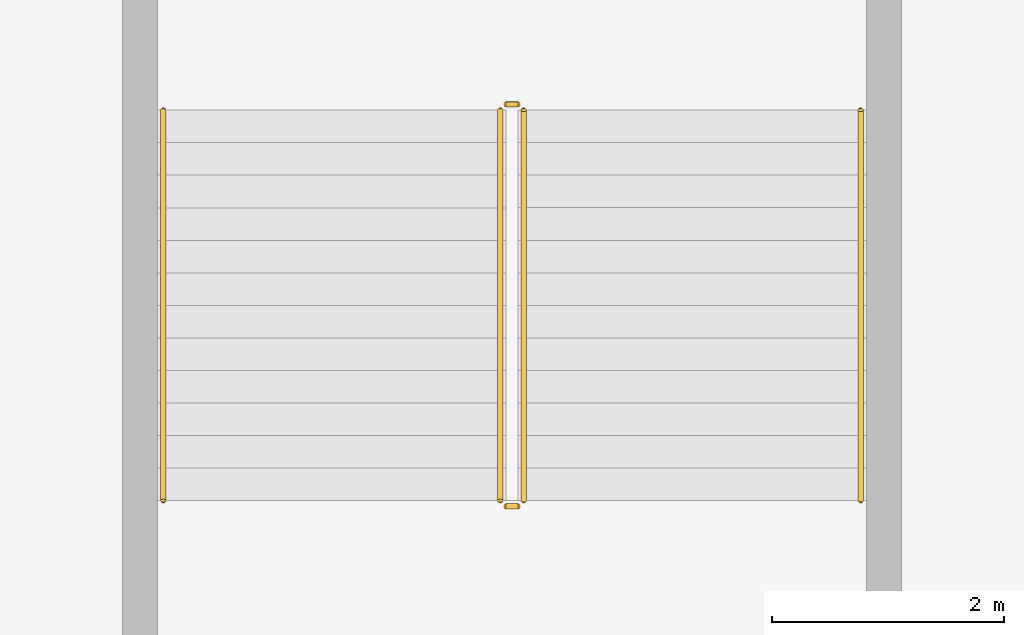
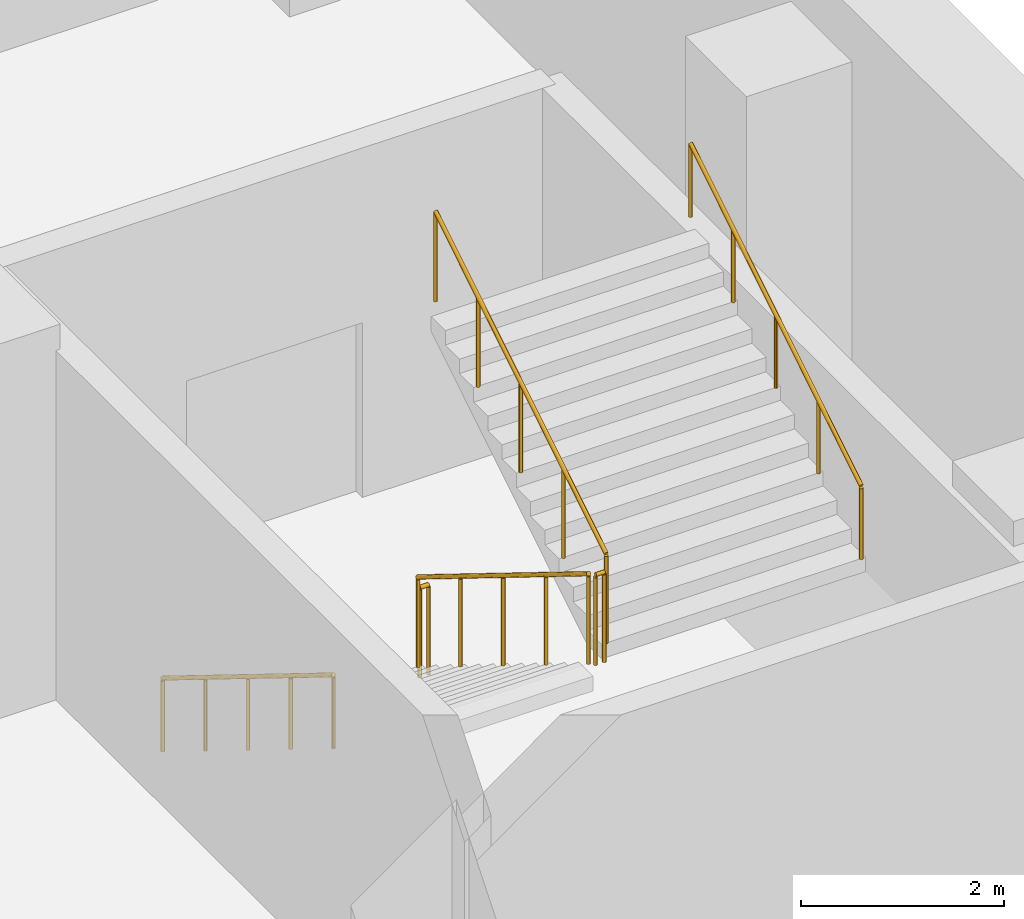
# One storey, part 12 of 13: 6 railings.
"""IFC4 building model written with IfcOpenShell, lengths in metres."""

from ifc_helpers import new_model, si_unit, direction, frame, origin, origin_2d, place, context, subcontext, project, spatial, circle, extrude, material, type_object, element, save


model = new_model("IFC4")

# Units and contexts
model_context = context("Model", 3, precision=1e-05, world=origin(), true_north=direction((0.0, 1.0)))
body_context = subcontext(model_context, "Body", "Model", "MODEL_VIEW")
ifc_project = project(units=[si_unit("LENGTHUNIT", "METRE"), si_unit("AREAUNIT", "SQUARE_METRE"), si_unit("VOLUMEUNIT", "CUBIC_METRE"), si_unit("PLANEANGLEUNIT", "RADIAN"), si_unit("MASSUNIT", "GRAM", prefix="KILO")], contexts=[model_context])

# Site, building, storey
site_placement = place(None, origin())
site = spatial("IfcSite", under=ifc_project, at=site_placement, CompositionType="ELEMENT")
building_placement = place(site_placement, origin())
building = spatial("IfcBuilding", under=site, at=building_placement, Name="Ogive Portal Towers", CompositionType="ELEMENT")
storey_placement = place(building_placement, frame((0.0, 0.0, -9.0)))
storey = spatial("IfcBuildingStorey", under=building, at=storey_placement, Name="B2", CompositionType="ELEMENT", Elevation=-9.0)

# Railings
ifc_material_1 = material(Name="Stainless steel balustrade", Category="steel")
railing_type_1 = type_object("IfcRailingType", Name="INT-GUARD", PredefinedType="GUARDRAIL", material=ifc_material_1)
railing_1_placement = place(storey_placement, frame((98.300048828125, 19.39990234375, 0.173095703125)))
element("IfcRailing", 1, at=railing_1_placement, inside=storey, type_object=railing_type_1, Name="B2 ST-S2 stair guard 1", PredefinedType="GUARDRAIL", context=body_context, shape_type="SweptSolid", body=[
    extrude(circle(Radius=0.02392578125, at=origin_2d()), frame((0.0, 0.0, 1.076171875), z_axis=(0.0, -0.850606129759, 0.525803396734), x_axis=(1.0, 0.0, 0.0)), (0.0, 0.0, 1.0), 3.949951171875),
    extrude(circle(Radius=0.02099609375, at=origin_2d()), origin(), (0.0, 0.0, 1.0), 1.052001953125),
    extrude(circle(Radius=0.02099609375, at=origin_2d()), frame((0.0, -0.83984375, 0.519287109375)), (0.0, 0.0, 1.0), 1.052001953125),
    extrude(circle(Radius=0.02099609375, at=origin_2d()), frame((0.0, -1.679931640625, 1.03857421875)), (0.0, 0.0, 1.0), 1.052001953125),
    extrude(circle(Radius=0.02099609375, at=origin_2d()), frame((0.0, -2.52001953125, 1.5576171875)), (0.0, 0.0, 1.0), 1.052001953125),
    extrude(circle(Radius=0.02099609375, at=origin_2d()), frame((0.0, -3.35986328125, 2.076904296875)), (0.0, 0.0, 1.0), 1.052001953125),
])
railing_2_placement = place(storey_placement, frame((98.35009765625, 15.989990234375, 2.25)))
element("IfcRailing", 2, at=railing_2_placement, inside=storey, type_object=railing_type_1, Name="B2 ST-S2 stair guard 2", PredefinedType="GUARDRAIL", context=body_context, shape_type="SweptSolid", body=[
    extrude(circle(Radius=0.02392578125, at=origin_2d()), frame((0.0, 0.0, 1.076171875), z_axis=(1.0, 0.0, 0.0), x_axis=(0.0, 1.0, 0.0)), (0.0, 0.0, 1.0), 0.099853515625),
    extrude(circle(Radius=0.02099609375, at=origin_2d()), origin(), (0.0, 0.0, 1.0), 1.052001953125),
    extrude(circle(Radius=0.02099609375, at=origin_2d()), frame((0.099853515625, 0.0, 0.0)), (0.0, 0.0, 1.0), 1.052001953125),
])
railing_3_placement = place(storey_placement, frame((98.5, 16.0400390625, 2.423095703125)))
element("IfcRailing", 3, at=railing_3_placement, inside=storey, type_object=railing_type_1, Name="B2 ST-S2 stair guard 3", PredefinedType="GUARDRAIL", context=body_context, shape_type="SweptSolid", body=[
    extrude(circle(Radius=0.02392578125, at=origin_2d()), frame((0.0, 0.0, 1.076171875), z_axis=(0.0, 0.850606129759, 0.525803396734), x_axis=(-1.0, 0.0, 0.0)), (0.0, 0.0, 1.0), 3.949951171875),
    extrude(circle(Radius=0.02099609375, at=origin_2d()), origin(), (0.0, 0.0, 1.0), 1.052001953125),
    extrude(circle(Radius=0.02099609375, at=origin_2d()), frame((0.0, 0.83984375, 0.519287109375)), (0.0, 0.0, 1.0), 1.052001953125),
    extrude(circle(Radius=0.02099609375, at=origin_2d()), frame((0.0, 1.679931640625, 1.03857421875)), (0.0, 0.0, 1.0), 1.052001953125),
    extrude(circle(Radius=0.02099609375, at=origin_2d()), frame((0.0, 2.52001953125, 1.5576171875)), (0.0, 0.0, 1.0), 1.052001953125),
    extrude(circle(Radius=0.02099609375, at=origin_2d()), frame((0.0, 3.35986328125, 2.076904296875)), (0.0, 0.0, 1.0), 1.052001953125),
])
railing_4_placement = place(storey_placement, frame((98.35009765625, 19.449951171875, 0.0)))
element("IfcRailing", 4, at=railing_4_placement, inside=storey, type_object=railing_type_1, Name="B2 ST-S2 stair guard 4", PredefinedType="GUARDRAIL", context=body_context, shape_type="SweptSolid", body=[
    extrude(circle(Radius=0.02392578125, at=origin_2d()), frame((0.0, 0.0, 1.076171875), z_axis=(1.0, 0.0, 0.0), x_axis=(0.0, 1.0, 0.0)), (0.0, 0.0, 1.0), 0.099853515625),
    extrude(circle(Radius=0.02099609375, at=origin_2d()), origin(), (0.0, 0.0, 1.0), 1.052001953125),
    extrude(circle(Radius=0.02099609375, at=origin_2d()), frame((0.099853515625, 0.0, 0.0)), (0.0, 0.0, 1.0), 1.052001953125),
])
ifc_material_2 = material(Name="Stainless steel handrail", Category="steel")
railing_type_2 = type_object("IfcRailingType", Name="INT-HANDRAIL", PredefinedType="HANDRAIL", material=ifc_material_2)
railing_5_placement = place(storey_placement, frame((95.39990234375, 19.39990234375, 0.173095703125)))
element("IfcRailing", 5, at=railing_5_placement, inside=storey, type_object=railing_type_2, Name="B2 ST-S2 stair handrail 1", PredefinedType="HANDRAIL", context=body_context, shape_type="SweptSolid", body=[
    extrude(circle(Radius=0.02392578125, at=origin_2d()), frame((0.0, 0.0, 0.8759765625), z_axis=(0.0, -0.850606129759, 0.525803396734), x_axis=(1.0, 0.0, 0.0)), (0.0, 0.0, 1.0), 3.949951171875),
    extrude(circle(Radius=0.02099609375, at=origin_2d()), origin(), (0.0, 0.0, 1.0), 0.851806640625),
    extrude(circle(Radius=0.02099609375, at=origin_2d()), frame((0.0, -0.83984375, 0.519287109375)), (0.0, 0.0, 1.0), 0.851806640625),
    extrude(circle(Radius=0.02099609375, at=origin_2d()), frame((0.0, -1.679931640625, 1.03857421875)), (0.0, 0.0, 1.0), 0.851806640625),
    extrude(circle(Radius=0.02099609375, at=origin_2d()), frame((0.0, -2.52001953125, 1.5576171875)), (0.0, 0.0, 1.0), 0.851806640625),
    extrude(circle(Radius=0.02099609375, at=origin_2d()), frame((0.0, -3.35986328125, 2.076904296875)), (0.0, 0.0, 1.0), 0.851806640625),
])
railing_6_placement = place(storey_placement, frame((101.39990234375, 16.0400390625, 2.423095703125)))
element("IfcRailing", 6, at=railing_6_placement, inside=storey, type_object=railing_type_2, Name="B2 ST-S2 stair handrail 2", PredefinedType="HANDRAIL", context=body_context, shape_type="SweptSolid", body=[
    extrude(circle(Radius=0.02392578125, at=origin_2d()), frame((0.0, 0.0, 0.8759765625), z_axis=(0.0, 0.850606129759, 0.525803396734), x_axis=(-1.0, 0.0, 0.0)), (0.0, 0.0, 1.0), 3.949951171875),
    extrude(circle(Radius=0.02099609375, at=origin_2d()), origin(), (0.0, 0.0, 1.0), 0.851806640625),
    extrude(circle(Radius=0.02099609375, at=origin_2d()), frame((0.0, 0.83984375, 0.519287109375)), (0.0, 0.0, 1.0), 0.851806640625),
    extrude(circle(Radius=0.02099609375, at=origin_2d()), frame((0.0, 1.679931640625, 1.03857421875)), (0.0, 0.0, 1.0), 0.851806640625),
    extrude(circle(Radius=0.02099609375, at=origin_2d()), frame((0.0, 2.52001953125, 1.5576171875)), (0.0, 0.0, 1.0), 0.851806640625),
    extrude(circle(Radius=0.02099609375, at=origin_2d()), frame((0.0, 3.35986328125, 2.076904296875)), (0.0, 0.0, 1.0), 0.851806640625),
])

save(model, "model.ifc")
